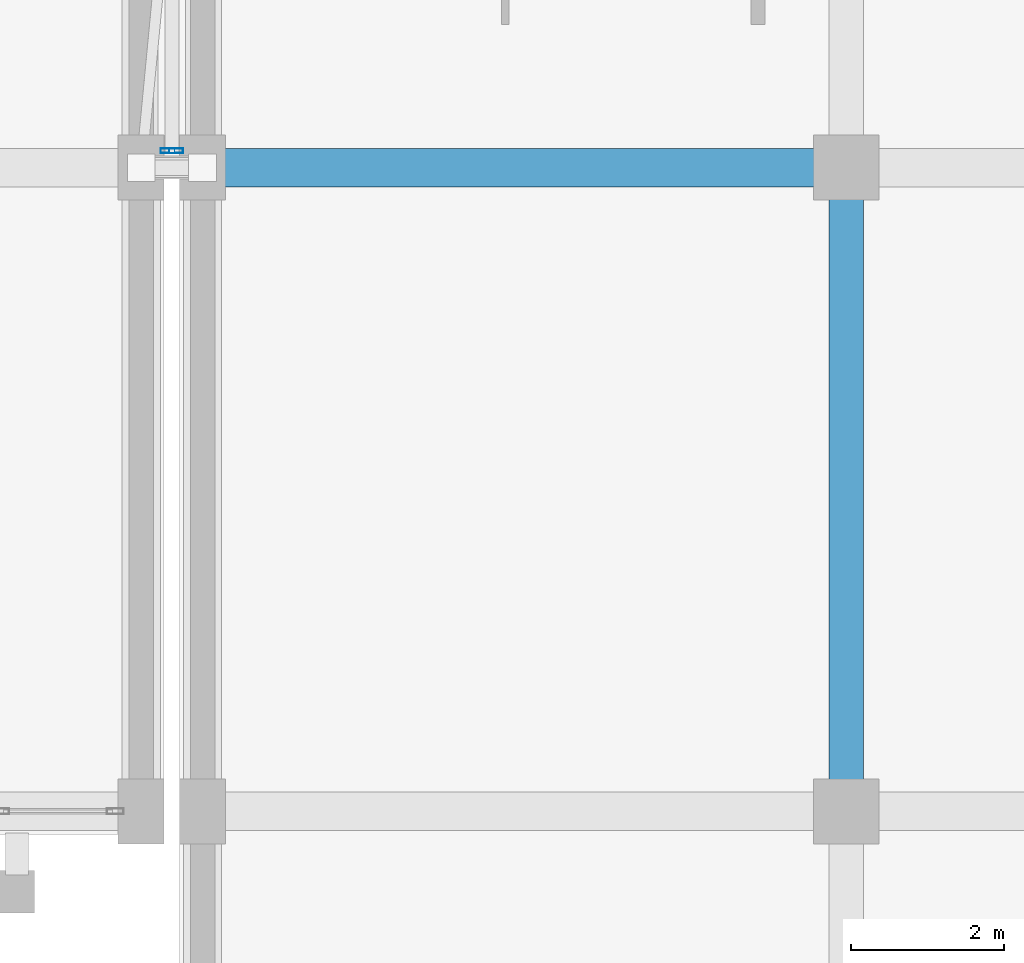
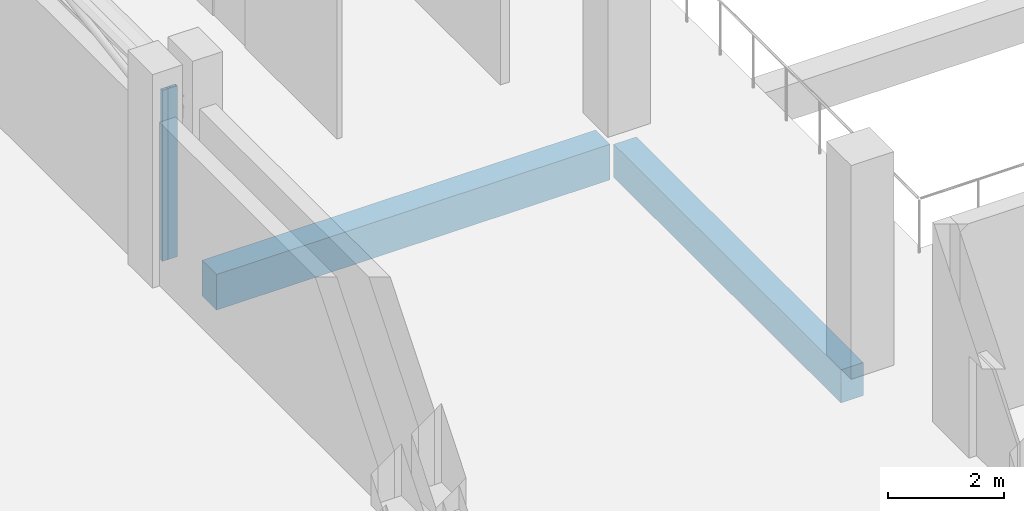
# One storey, part 63 of 137: 2 beams, 2 members, 1 element without a shape of its own.
"""IFC4 building model written with IfcOpenShell, lengths in metres."""

from ifc_helpers import new_model, si_unit, direction, frame, origin, origin_2d, place, context, subcontext, project, spatial, rectangle, hollow_rectangle, extrude, material, layer, layer_set, material_profile, profile_set, type_object, element, aggregate, save


model = new_model("IFC4")

# Units and contexts
model_context = context("Model", 3, precision=1e-05, world=origin(), true_north=direction((0.0, 1.0)))
body_context = subcontext(model_context, "Body", "Model", "MODEL_VIEW")
ifc_project = project(units=[si_unit("LENGTHUNIT", "METRE"), si_unit("AREAUNIT", "SQUARE_METRE"), si_unit("VOLUMEUNIT", "CUBIC_METRE"), si_unit("PLANEANGLEUNIT", "RADIAN"), si_unit("MASSUNIT", "GRAM", prefix="KILO")], contexts=[model_context])

# Site, building, storey
site_placement = place(None, origin())
site = spatial("IfcSite", under=ifc_project, at=site_placement, CompositionType="ELEMENT")
building_placement = place(site_placement, origin())
building = spatial("IfcBuilding", under=site, at=building_placement, Name="Xazarin Passage Department Store", CompositionType="ELEMENT")
storey_placement = place(building_placement, frame((0.0, 0.0, 5.39990234375)))
storey = spatial("IfcBuildingStorey", under=building, at=storey_placement, Name="L01", CompositionType="ELEMENT", Elevation=5.39990234375)

# Curtain wall, members
ifc_material_1 = material(Name="Bronze anodised aluminium", Category="aluminium")
ifc_layer = layer(ifc_material_1, 0.14990234375)
ifc_layer_set = layer_set([ifc_layer], Name="Bronze anodised aluminium")
curtain_wall_type = type_object("IfcCurtainWallType", Name="ARC-CW-BRG1", PredefinedType="NOTDEFINED", material=ifc_layer_set)
curtain_wall_placement = place(storey_placement, origin())
curtain_wall = element("IfcCurtainWall", 1, at=curtain_wall_placement, inside=storey, type_object=curtain_wall_type, Name="L01 BR-V1-V2N Bridge Curtain Wall 1", PredefinedType="NOTDEFINED")
ifc_material_profile_1 = material_profile(ifc_material_1, hollow_rectangle(XDim=0.06494140625, YDim=0.179931640625, WallThickness=0.00390625, at=origin_2d()), Name="ALU 65x180")
ifc_profile_set_1 = profile_set([ifc_material_profile_1], Name="Bronze anodised aluminium")
member_type = type_object("IfcMemberType", Name="ARC-CWM-65x180", PredefinedType="MULLION", material=ifc_profile_set_1)
member_1_placement = place(storey_placement, frame((67.54248046875, 68.219970703125, 0.0), z_axis=(0.0, 0.0, 1.0), x_axis=(0.0, 1.0, 0.0)))
member_1 = element("IfcMember", 2, at=member_1_placement, type_object=member_type, Name="CW7 mullion 1", PredefinedType="MULLION", context=body_context, shape_type="SweptSolid", body=[
    extrude(hollow_rectangle(XDim=0.06494140625, YDim=0.179931640625, WallThickness=0.00390625, at=origin_2d()), origin(), (0.0, 0.0, 1.0), 3.60009765625),
])
member_2_placement = place(storey_placement, frame((67.657470703125, 68.219970703125, 0.0), z_axis=(0.0, 0.0, 1.0), x_axis=(0.0, 1.0, 0.0)))
member_2 = element("IfcMember", 3, at=member_2_placement, type_object=member_type, Name="CW7 mullion 2", PredefinedType="MULLION", context=body_context, shape_type="SweptSolid", body=[
    extrude(hollow_rectangle(XDim=0.06494140625, YDim=0.179931640625, WallThickness=0.00390625, at=origin_2d()), origin(), (0.0, 0.0, 1.0), 3.60009765625),
])
aggregate(curtain_wall, [member_1, member_2])

# Beams
ifc_material_2 = material(Name="Concrete C35/45", Category="concrete")
ifc_material_profile_2 = material_profile(ifc_material_2, rectangle(XDim=0.449951171875, YDim=0.699951171875, at=origin_2d()), Name="RC 450x700")
ifc_profile_set_2 = profile_set([ifc_material_profile_2], Name="Concrete C35/45")
beam_type_1 = type_object("IfcBeamType", Name="STR-BM-G450x700", PredefinedType="BEAM", material=ifc_profile_set_2)
beam_1_placement = place(storey_placement, frame((76.39990234375, 59.8798828125, -0.64990234375), z_axis=(0.0, 1.0, 0.0), x_axis=(-1.0, 0.0, 0.0)))
element("IfcBeam", 4, at=beam_1_placement, inside=storey, type_object=beam_type_1, Name="L01 Grid Beam 11/J-K", PredefinedType="BEAM", context=body_context, shape_type="SweptSolid", body=[
    extrude(rectangle(XDim=0.449951171875, YDim=0.699951171875, at=origin_2d()), origin(), (0.0, 0.0, 1.0), 7.840087890625),
])
ifc_material_profile_3 = material_profile(ifc_material_2, rectangle(XDim=0.5, YDim=0.75, at=origin_2d()), Name="RC 500x750")
ifc_profile_set_3 = profile_set([ifc_material_profile_3], Name="Concrete C35/45")
beam_type_2 = type_object("IfcBeamType", Name="STR-BM-SP500x750", PredefinedType="SPANDREL", material=ifc_profile_set_3)
beam_2_placement = place(storey_placement, frame((68.280029296875, 68.0, -0.6748046875), z_axis=(1.0, 0.0, 0.0), x_axis=(0.0, 1.0, 0.0)))
element("IfcBeam", 5, at=beam_2_placement, inside=storey, type_object=beam_type_2, Name="L01 Grid Beam K/10-11", PredefinedType="SPANDREL", context=body_context, shape_type="SweptSolid", body=[
    extrude(rectangle(XDim=0.5, YDim=0.75, at=origin_2d()), origin(), (0.0, 0.0, 1.0), 7.840087890625),
])

save(model, "model.ifc")
